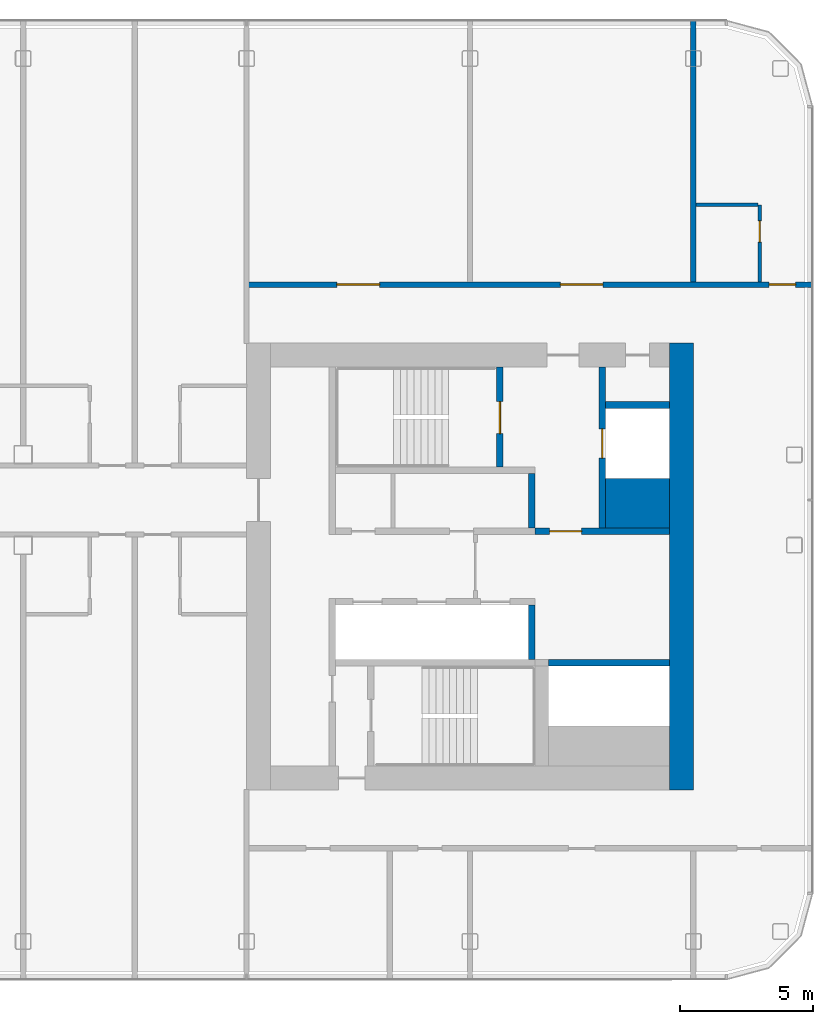
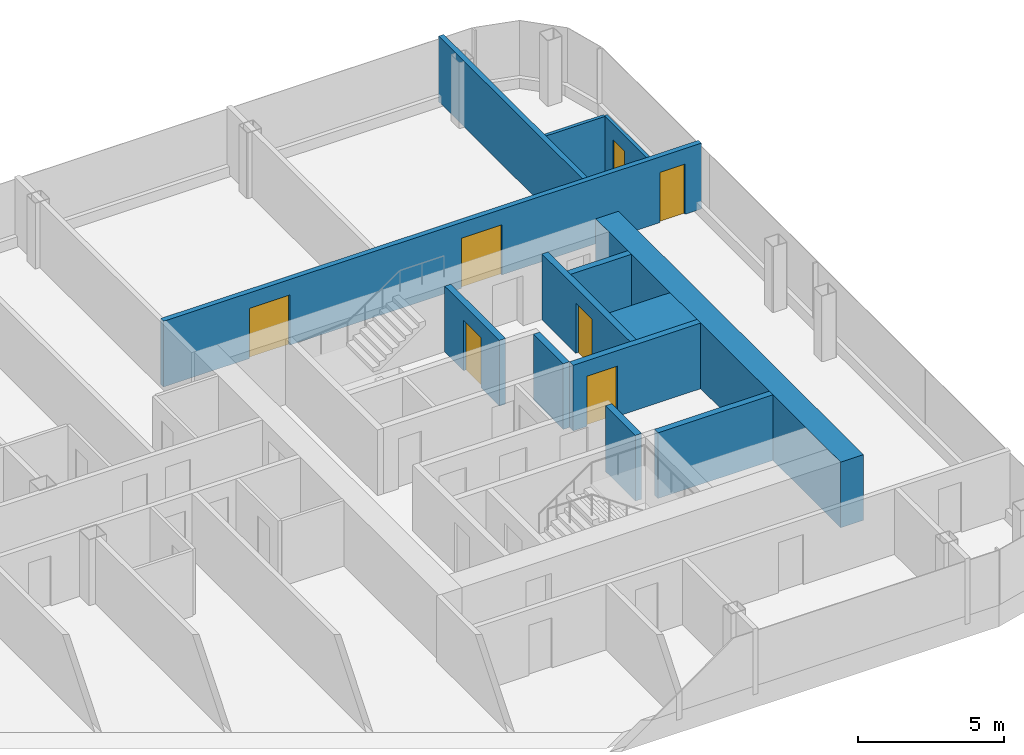
# One storey, part 17 of 26: 13 walls, 7 doors, 7 openings.
"""IFC4 building model written with IfcOpenShell, lengths in metres."""

from ifc_helpers import new_model, si_unit, direction, frame, frame_2d, origin, place, context, subcontext, project, spatial, rectangle, extrude, material, layer, layer_set, type_object, element, fill, save


model = new_model("IFC4")

# Units and contexts
model_context = context("Model", 3, precision=1e-05, world=origin(), true_north=direction((0.0, 1.0)))
body_context = subcontext(model_context, "Body", "Model", "MODEL_VIEW")
ifc_project = project(units=[si_unit("LENGTHUNIT", "METRE"), si_unit("AREAUNIT", "SQUARE_METRE"), si_unit("VOLUMEUNIT", "CUBIC_METRE"), si_unit("PLANEANGLEUNIT", "RADIAN"), si_unit("MASSUNIT", "GRAM", prefix="KILO")], contexts=[model_context])

# Site, building, storey
site_placement = place(None, origin())
site = spatial("IfcSite", under=ifc_project, at=site_placement, CompositionType="ELEMENT")
building_placement = place(site_placement, origin())
building = spatial("IfcBuilding", under=site, at=building_placement, Name="Hakoniwa Tower and Hamabe Station Hall", CompositionType="ELEMENT")
storey_placement = place(building_placement, frame((0.0, 0.0, 189.800048828125)))
storey = spatial("IfcBuildingStorey", under=building, at=storey_placement, Name="L53", CompositionType="ELEMENT", Elevation=189.800048828125)

# Wall
ifc_material_1 = material(Name="Gypsum board partition", Category="gypsum")
ifc_layer_1 = layer(ifc_material_1, 0.125)
ifc_layer_set_1 = layer_set([ifc_layer_1], Name="Bathroom Partition 125")
wall_type_1 = type_object("IfcWallType", Name="Bathroom Partition 125", PredefinedType="PARTITIONING", material=ifc_layer_set_1)
wall_1_placement = place(storey_placement, frame((33.699951171875, 13.60009765625, 0.0), z_axis=(0.0, 0.0, 1.0), x_axis=(1.0, 0.0, 0.0)))
element("IfcWall", 1, at=wall_1_placement, inside=storey, type_object=wall_type_1, Name="GW-L53-020", PredefinedType="PARTITIONING", context=body_context, shape_type="SweptSolid", body=[
    extrude(rectangle(XDim=2.337646484375, YDim=0.125, at=frame_2d((1.1689453125, 0.0))), origin(), (0.0, 0.0, 1.0), 2.75),
])

# Wall, opening, door
wall_2_placement = place(storey_placement, frame((36.10009765625, 10.699951171875, 0.0), z_axis=(0.0, 0.0, 1.0), x_axis=(0.0, 1.0, 0.0)))
wall_2 = element("IfcWall", 2, at=wall_2_placement, inside=storey, type_object=wall_type_1, Name="GW-L53-066", PredefinedType="PARTITIONING", context=body_context, shape_type="SweptSolid", body=[
    extrude(rectangle(XDim=2.900146484375, YDim=0.125, at=frame_2d((1.4501953125, 0.0))), origin(), (0.0, 0.0, 1.0), 2.75),
])
opening_1_placement = place(wall_2_placement, frame((1.5, 0.0, 0.0)))
opening_1 = element("IfcOpeningElement", 3, at=opening_1_placement, cuts=wall_2, Name="Opening GD-G4B0-48", PredefinedType="OPENING", context=body_context, shape_type="SweptSolid", body=[
    extrude(rectangle(XDim=0.800048828125, YDim=2.10009765625, at=frame_2d((0.39990234375, 1.050048828125))), frame((0.0, 0.072509765625, 0.0), z_axis=(0.0, -1.0, 0.0), x_axis=(1.0, 0.0, 0.0)), (0.0, 0.0, 1.0), 0.14501953125),
])
ifc_material_2 = material(Name="Timber door leaf", Category="wood")
door_type_1 = type_object("IfcDoorType", Name="Bathroom Door 800", OperationType="SINGLE_SWING_LEFT", PredefinedType="DOOR", material=ifc_material_2)
door_1_placement = place(opening_1_placement, origin())
door_1 = element("IfcDoor", 4, at=door_1_placement, inside=storey, type_object=door_type_1, Name="Door GD-G4B0-48", OperationType="SINGLE_SWING_LEFT", OverallHeight=2.10009765625, OverallWidth=0.800048828125, PredefinedType="DOOR", context=body_context, shape_type="SweptSolid", body=[
    extrude(rectangle(XDim=0.800048828125, YDim=2.10009765625, at=frame_2d((0.39990234375, 1.050048828125))), frame((0.0, 0.02490234375, 0.0), z_axis=(0.0, -1.0, 0.0), x_axis=(1.0, 0.0, 0.0)), (0.0, 0.0, 1.0), 0.050048828125),
])
fill(opening_1, door_1)

# Walls
ifc_material_3 = material(Name="Concrete C60", Category="concrete")
ifc_layer_2 = layer(ifc_material_3, 0.89990234375)
ifc_layer_set_2 = layer_set([ifc_layer_2], Name="CORE WALL 900 C60")
wall_type_2 = type_object("IfcWallType", Name="CORE WALL 900 C60", PredefinedType="SHEAR", material=ifc_layer_set_2)
wall_3_placement = place(storey_placement, frame((33.14990234375, -8.39990234375, 0.0), z_axis=(0.0, 0.0, 1.0), x_axis=(0.0, 1.0, 0.0)))
element("IfcWall", 5, at=wall_3_placement, inside=storey, type_object=wall_type_2, Name="Core wall OUTER east", PredefinedType="SHEAR", context=body_context, shape_type="SweptSolid", body=[
    extrude(rectangle(XDim=16.7998046875, YDim=0.89990234375, at=frame_2d((8.39990234375, 0.0))), origin(), (0.0, 0.0, 1.0), 2.75),
])
ifc_material_4 = material(Name="Concrete C60", Category="concrete")
ifc_layer_3 = layer(ifc_material_4, 1.85009765625)
ifc_layer_set_3 = layer_set([ifc_layer_3], Name="CORE WEB WALL 1850 C60")
wall_type_3 = type_object("IfcWallType", Name="CORE WEB WALL 1850 C60", PredefinedType="SHEAR", material=ifc_layer_set_3)
wall_4_placement = place(storey_placement, frame((30.300048828125, 2.375, 0.0), z_axis=(0.0, 0.0, 1.0), x_axis=(1.0, 0.0, 0.0)))
element("IfcWall", 6, at=wall_4_placement, inside=storey, type_object=wall_type_3, Name="Core wall CA east", PredefinedType="SHEAR", context=body_context, shape_type="SweptSolid", body=[
    extrude(rectangle(XDim=2.39990234375, YDim=1.85009765625, at=frame_2d((1.199951171875, 0.0))), origin(), (0.0, 0.0, 1.0), 2.75),
])
ifc_material_5 = material(Name="Concrete C60", Category="concrete")
ifc_layer_4 = layer(ifc_material_5, 0.25)
ifc_layer_set_4 = layer_set([ifc_layer_4], Name="CORE WEB WALL 250 C60")
wall_type_4 = type_object("IfcWallType", Name="CORE WEB WALL 250 C60", PredefinedType="SHEAR", material=ifc_layer_set_4)
wall_5_placement = place(storey_placement, frame((27.52490234375, 1.449951171875, 0.0), z_axis=(0.0, 0.0, 1.0), x_axis=(0.0, 1.0, 0.0)))
element("IfcWall", 7, at=wall_5_placement, inside=storey, type_object=wall_type_4, Name="Core wall NE east", PredefinedType="SHEAR", context=body_context, shape_type="SweptSolid", body=[
    extrude(rectangle(XDim=2.050048828125, YDim=0.25, at=frame_2d((1.02490234375, 0.0))), origin(), (0.0, 0.0, 1.0), 2.75),
])

# Wall, opening, door
wall_6_placement = place(storey_placement, frame((26.324951171875, 3.75, 0.0), z_axis=(0.0, 0.0, 1.0), x_axis=(0.0, 1.0, 0.0)))
wall_6 = element("IfcWall", 8, at=wall_6_placement, inside=storey, type_object=wall_type_4, Name="Core wall NSE east", PredefinedType="SHEAR", context=body_context, shape_type="SweptSolid", body=[
    extrude(rectangle(XDim=3.75, YDim=0.25, at=frame_2d((1.875, 0.0))), origin(), (0.0, 0.0, 1.0), 2.75),
])
opening_2_placement = place(wall_6_placement, frame((1.25, 0.0, 0.0)))
opening_2 = element("IfcOpeningElement", 9, at=opening_2_placement, cuts=wall_6, Name="Opening CD-E-SN-12", PredefinedType="OPENING", context=body_context, shape_type="SweptSolid", body=[
    extrude(rectangle(XDim=1.199951171875, YDim=2.10009765625, at=frame_2d((0.60009765625, 1.050048828125))), frame((0.0, 0.135009765625, 0.0), z_axis=(0.0, -1.0, 0.0), x_axis=(1.0, 0.0, 0.0)), (0.0, 0.0, 1.0), 0.27001953125),
])
ifc_material_6 = material(Name="Steel fire door", Category="steel")
door_type_2 = type_object("IfcDoorType", Name="CORE DOOR 1200 FD60", OperationType="DOUBLE_DOOR_SINGLE_SWING", PredefinedType="DOOR", material=ifc_material_6)
door_2_placement = place(opening_2_placement, origin())
door_2 = element("IfcDoor", 10, at=door_2_placement, inside=storey, type_object=door_type_2, Name="Escape stair door", OperationType="DOUBLE_DOOR_SINGLE_SWING", OverallHeight=2.10009765625, OverallWidth=1.199951171875, PredefinedType="DOOR", context=body_context, shape_type="SweptSolid", body=[
    extrude(rectangle(XDim=1.199951171875, YDim=2.10009765625, at=frame_2d((0.60009765625, 1.050048828125))), frame((0.0, 0.02490234375, 0.0), z_axis=(0.0, -1.0, 0.0), x_axis=(1.0, 0.0, 0.0)), (0.0, 0.0, 1.0), 0.050048828125),
])
fill(opening_2, door_2)

wall_7_placement = place(storey_placement, frame((27.64990234375, 1.324951171875, 0.0), z_axis=(0.0, 0.0, 1.0), x_axis=(1.0, 0.0, 0.0)))
wall_7 = element("IfcWall", 11, at=wall_7_placement, inside=storey, type_object=wall_type_4, Name="Core wall ELN east", PredefinedType="SHEAR", context=body_context, shape_type="SweptSolid", body=[
    extrude(rectangle(XDim=5.050048828125, YDim=0.25, at=frame_2d((2.52490234375, 0.0))), origin(), (0.0, 0.0, 1.0), 2.75),
])
opening_3_placement = place(wall_7_placement, frame((0.550048828125, 0.0, 0.0)))
opening_3 = element("IfcOpeningElement", 12, at=opening_3_placement, cuts=wall_7, Name="Opening CD-E-FL-12", PredefinedType="OPENING", context=body_context, shape_type="SweptSolid", body=[
    extrude(rectangle(XDim=1.199951171875, YDim=2.10009765625, at=frame_2d((0.60009765625, 1.050048828125))), frame((0.0, 0.135009765625, 0.0), z_axis=(0.0, -1.0, 0.0), x_axis=(1.0, 0.0, 0.0)), (0.0, 0.0, 1.0), 0.27001953125),
])
door_3_placement = place(opening_3_placement, origin())
door_3 = element("IfcDoor", 13, at=door_3_placement, inside=storey, type_object=door_type_2, Name="Stair vestibule door to the fire-fighting lobby", OperationType="DOUBLE_DOOR_SINGLE_SWING", OverallHeight=2.10009765625, OverallWidth=1.199951171875, PredefinedType="DOOR", context=body_context, shape_type="SweptSolid", body=[
    extrude(rectangle(XDim=1.199951171875, YDim=2.10009765625, at=frame_2d((0.60009765625, 1.050048828125))), frame((0.0, 0.02490234375, 0.0), z_axis=(0.0, -1.0, 0.0), x_axis=(1.0, 0.0, 0.0)), (0.0, 0.0, 1.0), 0.050048828125),
])
fill(opening_3, door_3)

wall_8_placement = place(storey_placement, frame((30.175048828125, 1.449951171875, 0.0), z_axis=(0.0, 0.0, 1.0), x_axis=(0.0, 1.0, 0.0)))
wall_8 = element("IfcWall", 14, at=wall_8_placement, inside=storey, type_object=wall_type_4, Name="Core wall FFF east", PredefinedType="SHEAR", context=body_context, shape_type="SweptSolid", body=[
    extrude(rectangle(XDim=6.050048828125, YDim=0.25, at=frame_2d((3.02490234375, 0.0))), origin(), (0.0, 0.0, 1.0), 2.75),
])
opening_4_placement = place(wall_8_placement, frame((2.625, 0.0, 0.0)))
opening_4 = element("IfcOpeningElement", 15, at=opening_4_placement, cuts=wall_8, Name="Opening LD-FF2", PredefinedType="OPENING", context=body_context, shape_type="SweptSolid", body=[
    extrude(rectangle(XDim=1.10009765625, YDim=2.10009765625, at=frame_2d((0.550048828125, 1.050048828125))), frame((0.0, 0.135009765625, 0.0), z_axis=(0.0, -1.0, 0.0), x_axis=(1.0, 0.0, 0.0)), (0.0, 0.0, 1.0), 0.27001953125),
])
ifc_material_7 = material(Name="Stainless steel SUS304", Category="steel")
door_type_3 = type_object("IfcDoorType", Name="LIFT LANDING DOOR 1100 FD60", OperationType="DOUBLE_DOOR_SLIDING", PredefinedType="DOOR", material=ifc_material_7)
door_4_placement = place(opening_4_placement, origin())
door_4 = element("IfcDoor", 16, at=door_4_placement, inside=storey, type_object=door_type_3, Name="Lift landing door FF2 L53", OperationType="DOUBLE_DOOR_SLIDING", OverallHeight=2.10009765625, OverallWidth=1.10009765625, PredefinedType="DOOR", context=body_context, shape_type="SweptSolid", body=[
    extrude(rectangle(XDim=1.10009765625, YDim=2.10009765625, at=frame_2d((0.550048828125, 1.050048828125))), frame((0.0, 0.02490234375, 0.0), z_axis=(0.0, -1.0, 0.0), x_axis=(1.0, 0.0, 0.0)), (0.0, 0.0, 1.0), 0.050048828125),
])
fill(opening_4, door_4)

# Walls
wall_9_placement = place(storey_placement, frame((30.300048828125, 6.074951171875, 0.0), z_axis=(0.0, 0.0, 1.0), x_axis=(1.0, 0.0, 0.0)))
element("IfcWall", 17, at=wall_9_placement, inside=storey, type_object=wall_type_4, Name="Core wall C2 east", PredefinedType="SHEAR", context=body_context, shape_type="SweptSolid", body=[
    extrude(rectangle(XDim=2.39990234375, YDim=0.25, at=frame_2d((1.199951171875, 0.0))), origin(), (0.0, 0.0, 1.0), 2.75),
])
wall_10_placement = place(storey_placement, frame((27.52490234375, -3.5, 0.0), z_axis=(0.0, 0.0, 1.0), x_axis=(0.0, 1.0, 0.0)))
element("IfcWall", 18, at=wall_10_placement, inside=storey, type_object=wall_type_4, Name="Core wall SE east", PredefinedType="SHEAR", context=body_context, shape_type="SweptSolid", body=[
    extrude(rectangle(XDim=2.050048828125, YDim=0.25, at=frame_2d((1.02490234375, 0.0))), origin(), (0.0, 0.0, 1.0), 2.75),
])
wall_11_placement = place(storey_placement, frame((28.14990234375, -3.625, 0.0), z_axis=(0.0, 0.0, 1.0), x_axis=(1.0, 0.0, 0.0)))
element("IfcWall", 19, at=wall_11_placement, inside=storey, type_object=wall_type_4, Name="Core wall SEF east", PredefinedType="SHEAR", context=body_context, shape_type="SweptSolid", body=[
    extrude(rectangle(XDim=4.550048828125, YDim=0.25, at=frame_2d((2.27490234375, 0.0))), origin(), (0.0, 0.0, 1.0), 2.75),
])

# Wall, openings, doors
ifc_material_8 = material(Name="Fire-rated gypsum board partition", Category="gypsum")
ifc_layer_5 = layer(ifc_material_8, 0.199951171875)
ifc_layer_set_5 = layer_set([ifc_layer_5], Name="Corridor Wall 200")
wall_type_5 = type_object("IfcWallType", Name="Corridor Wall 200", PredefinedType="PARTITIONING", material=ifc_layer_set_5)
wall_12_placement = place(storey_placement, frame((16.800048828125, 10.60009765625, 0.0), z_axis=(0.0, 0.0, 1.0), x_axis=(1.0, 0.0, 0.0)))
wall_12 = element("IfcWall", 20, at=wall_12_placement, inside=storey, type_object=wall_type_5, Name="GW-L53-016", PredefinedType="PARTITIONING", context=body_context, shape_type="SweptSolid", body=[
    extrude(rectangle(XDim=21.300048828125, YDim=0.199951171875, at=frame_2d((10.64990234375, 0.0))), origin(), (0.0, 0.0, 1.0), 2.75),
])
opening_5_placement = place(wall_12_placement, frame((3.39990234375, 0.0, 0.0)))
opening_5 = element("IfcOpeningElement", 21, at=opening_5_placement, cuts=wall_12, Name="Opening GD-G4B0-29", PredefinedType="OPENING", context=body_context, shape_type="SweptSolid", body=[
    extrude(rectangle(XDim=1.60009765625, YDim=2.10009765625, at=frame_2d((0.800048828125, 1.050048828125))), frame((0.0, 0.10986328125, 0.0), z_axis=(0.0, -1.0, 0.0), x_axis=(1.0, 0.0, 0.0)), (0.0, 0.0, 1.0), 0.219970703125),
])
opening_6_placement = place(wall_12_placement, frame((11.800048828125, 0.0, 0.0)))
opening_6 = element("IfcOpeningElement", 22, at=opening_6_placement, cuts=wall_12, Name="Opening GD-G4B0-30", PredefinedType="OPENING", context=body_context, shape_type="SweptSolid", body=[
    extrude(rectangle(XDim=1.60009765625, YDim=2.10009765625, at=frame_2d((0.800048828125, 1.050048828125))), frame((0.0, 0.10986328125, 0.0), z_axis=(0.0, -1.0, 0.0), x_axis=(1.0, 0.0, 0.0)), (0.0, 0.0, 1.0), 0.219970703125),
])
opening_7_placement = place(wall_12_placement, frame((19.64990234375, 0.0, 0.0)))
opening_7 = element("IfcOpeningElement", 23, at=opening_7_placement, cuts=wall_12, Name="Opening GD-G4B0-31", PredefinedType="OPENING", context=body_context, shape_type="SweptSolid", body=[
    extrude(rectangle(XDim=1.0, YDim=2.10009765625, at=frame_2d((0.5, 1.050048828125))), frame((0.0, 0.10986328125, 0.0), z_axis=(0.0, -1.0, 0.0), x_axis=(1.0, 0.0, 0.0)), (0.0, 0.0, 1.0), 0.219970703125),
])
ifc_material_9 = material(Name="Timber door leaf", Category="wood")
door_type_4 = type_object("IfcDoorType", Name="Double Door 1600", OperationType="DOUBLE_DOOR_SINGLE_SWING", PredefinedType="DOOR", material=ifc_material_9)
door_5_placement = place(opening_5_placement, origin())
door_5 = element("IfcDoor", 24, at=door_5_placement, inside=storey, type_object=door_type_4, Name="Door GD-G4B0-29", OperationType="DOUBLE_DOOR_SINGLE_SWING", OverallHeight=2.10009765625, OverallWidth=1.60009765625, PredefinedType="DOOR", context=body_context, shape_type="SweptSolid", body=[
    extrude(rectangle(XDim=1.60009765625, YDim=2.10009765625, at=frame_2d((0.800048828125, 1.050048828125))), frame((0.0, 0.02490234375, 0.0), z_axis=(0.0, -1.0, 0.0), x_axis=(1.0, 0.0, 0.0)), (0.0, 0.0, 1.0), 0.050048828125),
])
fill(opening_5, door_5)
door_6_placement = place(opening_6_placement, origin())
door_6 = element("IfcDoor", 25, at=door_6_placement, inside=storey, type_object=door_type_4, Name="Door GD-G4B0-30", OperationType="DOUBLE_DOOR_SINGLE_SWING", OverallHeight=2.10009765625, OverallWidth=1.60009765625, PredefinedType="DOOR", context=body_context, shape_type="SweptSolid", body=[
    extrude(rectangle(XDim=1.60009765625, YDim=2.10009765625, at=frame_2d((0.800048828125, 1.050048828125))), frame((0.0, 0.02490234375, 0.0), z_axis=(0.0, -1.0, 0.0), x_axis=(1.0, 0.0, 0.0)), (0.0, 0.0, 1.0), 0.050048828125),
])
fill(opening_6, door_6)
ifc_material_10 = material(Name="Timber door leaf", Category="wood")
door_type_5 = type_object("IfcDoorType", Name="Guest Entrance Door 1000", OperationType="SINGLE_SWING_LEFT", PredefinedType="DOOR", material=ifc_material_10)
door_7_placement = place(opening_7_placement, origin())
door_7 = element("IfcDoor", 26, at=door_7_placement, inside=storey, type_object=door_type_5, Name="Door GD-G4B0-31", OperationType="SINGLE_SWING_RIGHT", OverallHeight=2.10009765625, OverallWidth=1.0, PredefinedType="DOOR", context=body_context, shape_type="SweptSolid", body=[
    extrude(rectangle(XDim=1.0, YDim=2.10009765625, at=frame_2d((0.5, 1.050048828125))), frame((0.0, 0.02490234375, 0.0), z_axis=(0.0, -1.0, 0.0), x_axis=(1.0, 0.0, 0.0)), (0.0, 0.0, 1.0), 0.050048828125),
])
fill(opening_7, door_7)

# Wall
ifc_material_11 = material(Name="Fire-rated gypsum board partition", Category="gypsum")
ifc_layer_6 = layer(ifc_material_11, 0.199951171875)
ifc_layer_set_6 = layer_set([ifc_layer_6], Name="Party Wall 200")
wall_type_6 = type_object("IfcWallType", Name="Party Wall 200", PredefinedType="PARTITIONING", material=ifc_layer_set_6)
wall_13_placement = place(storey_placement, frame((33.60009765625, 10.699951171875, 0.0), z_axis=(0.0, 0.0, 1.0), x_axis=(0.0, 1.0, 0.0)))
element("IfcWall", 27, at=wall_13_placement, inside=storey, type_object=wall_type_6, Name="GW-L53-065", PredefinedType="PARTITIONING", context=body_context, shape_type="SweptSolid", body=[
    extrude(rectangle(XDim=9.85009765625, YDim=0.199951171875, at=frame_2d((4.925048828125, 0.0))), origin(), (0.0, 0.0, 1.0), 2.75),
])

save(model, "model.ifc")
